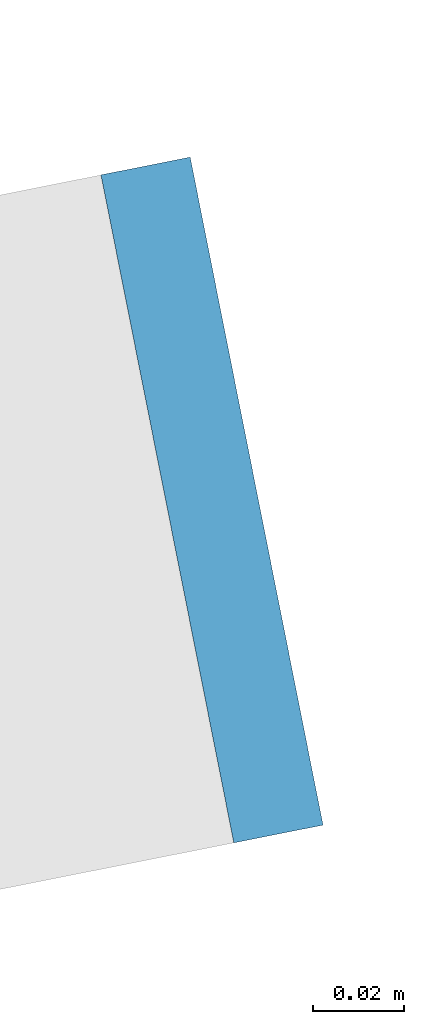
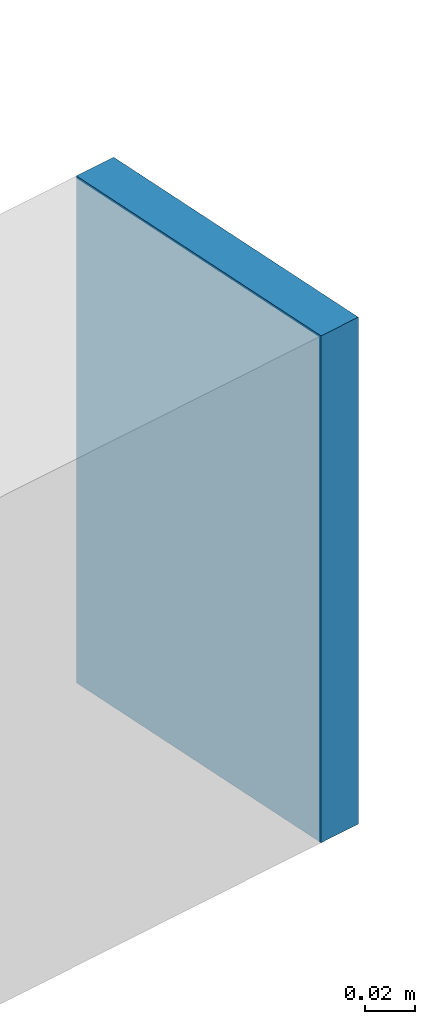
# One storey, part 22 of 30: 1 discrete accessory.
"""IFC4 building model written with IfcOpenShell, lengths in metres."""

import ifcopenshell
import ifcopenshell.guid

model = None  # the IFC model being written
_history = None  # IfcOwnerHistory: only IFC2X3 demands one
_inside = {}  # id of a spatial element -> (the spatial element, [elements in it])
_under = {}  # id of a project, library or spatial element -> (it, [spatial elements below it])
_declared = {}  # id of a project -> (the project, [libraries it declares])
_typed = {}  # id of a type object -> (the type object, [elements of that type])
_made_of = {}  # id of a material, layer set ... -> (it, [elements and type objects made of it])


def new_model(schema):
    """Start an empty IFC model of exactly this schema.

    Asked for "IFC4X3", IfcOpenShell would pick the latest addendum, in which some entities
    have other attributes; the version numbers below select the first issue.
    IFC2X3 requires an IfcOwnerHistory on every rooted entity: one is made here for all.
    """
    global model, _history
    if schema == "IFC4X3":
        model = ifcopenshell.file(schema_version=(4, 3, 0, 0))
    else:
        model = ifcopenshell.file(schema=schema)
    _inside.clear()
    _under.clear()
    _declared.clear()
    _typed.clear()
    _made_of.clear()
    _history = None
    if model.schema == "IFC2X3":
        org = make("IfcOrganization", Name="unknown")
        user = make(
            "IfcPersonAndOrganization",
            ThePerson=make("IfcPerson", FamilyName="unknown"),
            TheOrganization=org,
        )
        app = make(
            "IfcApplication",
            ApplicationDeveloper=org,
            Version="unknown",
            ApplicationFullName="unknown",
            ApplicationIdentifier="unknown",
        )
        _history = make(
            "IfcOwnerHistory",
            OwningUser=user,
            OwningApplication=app,
            ChangeAction="ADDED",
            CreationDate=0,
        )
    return model


def make(cls, **values):
    """One entity of the class cls with the attributes given. An attribute that is None is left unset."""
    return model.create_entity(
        cls, **{name: value for name, value in values.items() if value is not None}
    )


def rooted(cls, **values):
    """An entity with a GlobalId (a new one), such as an element, a storey or a relation."""
    return make(cls, GlobalId=ifcopenshell.guid.new(), OwnerHistory=_history, **values)


def si_unit(unit_type, name, prefix=None):
    """IfcSIUnit, for example si_unit("LENGTHUNIT", "METRE", prefix="MILLI")."""
    return make("IfcSIUnit", UnitType=unit_type, Prefix=prefix, Name=name)


def assignment(units):
    """IfcUnitAssignment: the units of a project."""
    return None if units is None else make("IfcUnitAssignment", Units=units)


def point(xyz):
    """IfcCartesianPoint."""
    return None if xyz is None else make("IfcCartesianPoint", Coordinates=xyz)


def direction(xyz):
    """IfcDirection."""
    return None if xyz is None else make("IfcDirection", DirectionRatios=xyz)


def frame(location, z_axis=None, x_axis=None):
    """IfcAxis2Placement3D, a coordinate frame: its origin and axes. An axis left out is left unset."""
    return make(
        "IfcAxis2Placement3D",
        Location=point(location),
        Axis=direction(z_axis),
        RefDirection=direction(x_axis),
    )


def frame_2d(location, x_axis=None):
    """IfcAxis2Placement2D, a coordinate frame in the plane: its origin and x axis."""
    return make(
        "IfcAxis2Placement2D", Location=point(location), RefDirection=direction(x_axis)
    )


def origin():
    """The frame at (0, 0, 0) with its axes left unset."""
    return frame((0.0, 0.0, 0.0))


def origin_2d():
    """The frame at (0, 0) in the plane with its x axis left unset."""
    return frame_2d((0.0, 0.0))


def place(relative_to, where):
    """IfcLocalPlacement: puts the frame where relative to a parent placement (None: the world)."""
    return make(
        "IfcLocalPlacement", PlacementRelTo=relative_to, RelativePlacement=where
    )


def context(
    kind, dimensions, precision=None, world=None, true_north=None, identifier=None
):
    """IfcGeometricRepresentationContext, for example the 3D "Model" context."""
    return make(
        "IfcGeometricRepresentationContext",
        ContextIdentifier=identifier,
        ContextType=kind,
        CoordinateSpaceDimension=dimensions,
        Precision=precision,
        WorldCoordinateSystem=world,
        TrueNorth=true_north,
    )


def subcontext(parent, identifier, kind, view, scale=None):
    """IfcGeometricRepresentationSubContext, for example "Body" below "Model"."""
    return make(
        "IfcGeometricRepresentationSubContext",
        ContextIdentifier=identifier,
        ContextType=kind,
        ParentContext=parent,
        TargetScale=scale,
        TargetView=view,
    )


def project(units=None, contexts=None):
    """IfcProject with its units and contexts."""
    return rooted(
        "IfcProject",
        Name="project",
        RepresentationContexts=contexts,
        UnitsInContext=assignment(units),
    )


def spatial(cls, under=None, at=None, **own):
    """A site, building, storey or space (cls), placed at a placement, below another one or the project."""
    s = rooted(cls, ObjectPlacement=at, **own)
    if under is not None:
        _under.setdefault(under.id(), (under, []))[1].append(s)
    return s


def profile(cls, at=None, kind="AREA", **sizes):
    """A parametric profile (cls). Its sizes go by their IFC names, for example OverallWidth=200.0."""
    return make(cls, ProfileType=kind, Position=at, **sizes)


def rectangle(**sizes):
    """IfcRectangleProfileDef."""
    return profile("IfcRectangleProfileDef", **sizes)


def extrude(swept, where, along, depth):
    """IfcExtrudedAreaSolid: the profile swept, set in the frame where, extruded along a direction by depth."""
    return make(
        "IfcExtrudedAreaSolid",
        SweptArea=swept,
        Position=where,
        ExtrudedDirection=direction(along),
        Depth=depth,
    )


def shape(context_of_items, identifier, shape_type, items):
    """IfcShapeRepresentation: the items that make up one representation, for example the "Body"."""
    return make(
        "IfcShapeRepresentation",
        ContextOfItems=context_of_items,
        RepresentationIdentifier=identifier,
        RepresentationType=shape_type,
        Items=items,
    )


def material(Name=None, Category=None):
    """IfcMaterial."""
    return make("IfcMaterial", Name=Name, Category=Category)


def layer(
    of_material, thickness, ventilated=None, Name=None, Category=None, Priority=None
):
    """IfcMaterialLayer: one layer of a wall or slab, of a material (None: an air gap)."""
    return make(
        "IfcMaterialLayer",
        Material=of_material,
        LayerThickness=thickness,
        IsVentilated=ventilated,
        Name=Name,
        Category=Category,
        Priority=Priority,
    )


def layer_set(layers, Name=None):
    """IfcMaterialLayerSet."""
    return make("IfcMaterialLayerSet", MaterialLayers=layers, LayerSetName=Name)


def made_of(thing, what):
    """Note that an element or type object is made of a material, layer set ...; save() writes the relation."""
    if what is not None:
        _made_of.setdefault(what.id(), (what, []))[1].append(thing)
    return thing


def type_object(cls, material=None, **own):
    """A type object (cls), such as IfcWallType, which elements share."""
    return made_of(rooted(cls, **own), material)


def element(
    cls,
    number,
    at=None,
    inside=None,
    cuts=None,
    type_object=None,
    material=None,
    context=None,
    identifier="Body",
    shape_type=None,
    held_by="IfcProductDefinitionShape",
    body=None,
    shapes=None,
    **own,
):
    """One element of the class cls, such as IfcWall. Its Tag is "e" and its number.

    at: its placement. inside: the storey or other place that contains it. cuts: it is an
    opening in that element (IfcRelVoidsElement). A single representation is given by context,
    identifier, shape_type and body (its items); several are given by shapes. held_by: the class
    of the entity that holds the representations. save() writes the other relations.
    """
    e = rooted(cls, Tag="e%d" % number, ObjectPlacement=at, **own)
    if body is not None:
        shapes = [shape(context, identifier, shape_type, body)]
    if shapes is not None:
        e.Representation = make(held_by, Representations=shapes)
    if inside is not None:
        _inside.setdefault(inside.id(), (inside, []))[1].append(e)
    if cuts is not None:
        rooted(
            "IfcRelVoidsElement", RelatingBuildingElement=cuts, RelatedOpeningElement=e
        )
    if type_object is not None:
        _typed.setdefault(type_object.id(), (type_object, []))[1].append(e)
    return made_of(e, material)


def aggregate(whole, parts):
    """IfcRelAggregates: a whole, such as a stair, and the parts it consists of."""
    return rooted("IfcRelAggregates", RelatingObject=whole, RelatedObjects=parts)


def save(model, path):
    """Write the relations noted so far, then the file.

    IfcRelAggregates (storeys below a building ...), IfcRelContainedInSpatialStructure (elements
    in a storey), IfcRelDefinesByType, IfcRelAssociatesMaterial and IfcRelDeclares: one each for
    every whole, place, type object, material and project.
    """
    for whole, parts in _under.values():
        aggregate(whole, parts)
    for where, things in _inside.values():
        rooted(
            "IfcRelContainedInSpatialStructure",
            RelatedElements=things,
            RelatingStructure=where,
        )
    for kind, things in _typed.values():
        rooted("IfcRelDefinesByType", RelatedObjects=things, RelatingType=kind)
    for what, things in _made_of.values():
        rooted("IfcRelAssociatesMaterial", RelatedObjects=things, RelatingMaterial=what)
    for by, libraries in _declared.values():
        rooted("IfcRelDeclares", RelatingContext=by, RelatedDefinitions=libraries)
    model.write(path)


model = new_model("IFC4")

# Units and contexts
model_context = context("Model", 3, precision=1e-05, world=origin(), true_north=direction((0.0, 1.0)))
body_context = subcontext(model_context, "Body", "Model", "MODEL_VIEW")
ifc_project = project(units=[si_unit("LENGTHUNIT", "METRE"), si_unit("AREAUNIT", "SQUARE_METRE"), si_unit("VOLUMEUNIT", "CUBIC_METRE"), si_unit("PLANEANGLEUNIT", "RADIAN"), si_unit("MASSUNIT", "GRAM", prefix="KILO")], contexts=[model_context])

# Site, building, storey
site_placement = place(None, origin())
site = spatial("IfcSite", under=ifc_project, at=site_placement, CompositionType="ELEMENT")
building_placement = place(site_placement, origin())
building = spatial("IfcBuilding", under=site, at=building_placement, Name="Siwar Civic Tower", CompositionType="ELEMENT")
storey_placement = place(building_placement, frame((0.0, 0.0, 80.699951171875)))
storey = spatial("IfcBuildingStorey", under=building, at=storey_placement, Name="L17", CompositionType="ELEMENT", Elevation=80.699951171875)

# Discrete accessory
ifc_material = material(Name="Steel S355", Category="steel")
ifc_layer = layer(ifc_material, 0.02001953125)
ifc_layer_set = layer_set([ifc_layer], Name="Steel S355")
discrete_accessory_type = type_object("IfcDiscreteAccessoryType", Name="STR-END-CAP", PredefinedType="USERDEFINED", material=ifc_layer_set)
discrete_accessory_placement = place(storey_placement, frame((33.3447265625, 22.642578125, -0.39990234375), z_axis=(0.0, 0.0, 1.0), x_axis=(0.980785280383, 0.195090322119, 0.0)))
element("IfcDiscreteAccessory", 1, at=discrete_accessory_placement, inside=storey, type_object=discrete_accessory_type, Name="End cap plate Balcony cantilever beam NE 1", ObjectType="END CAP PLATE", PredefinedType="USERDEFINED", context=body_context, shape_type="SweptSolid", body=[
    extrude(rectangle(XDim=0.02001953125, YDim=0.14990234375, at=origin_2d()), origin(), (0.0, 0.0, 1.0), 0.25),
])

save(model, "model.ifc")
